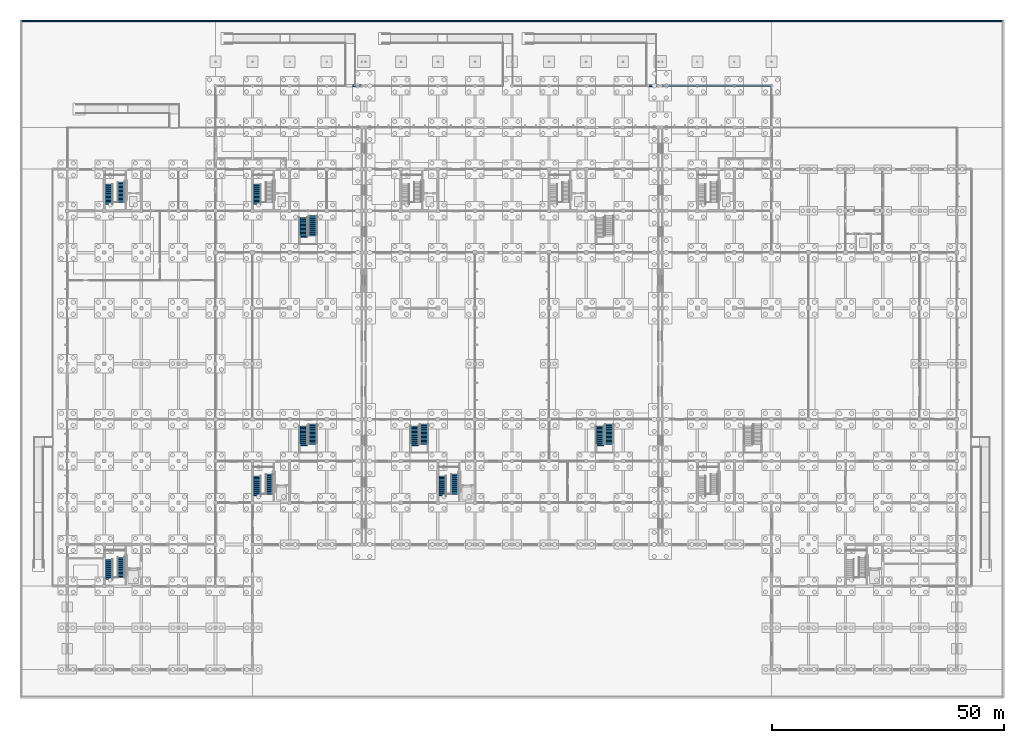
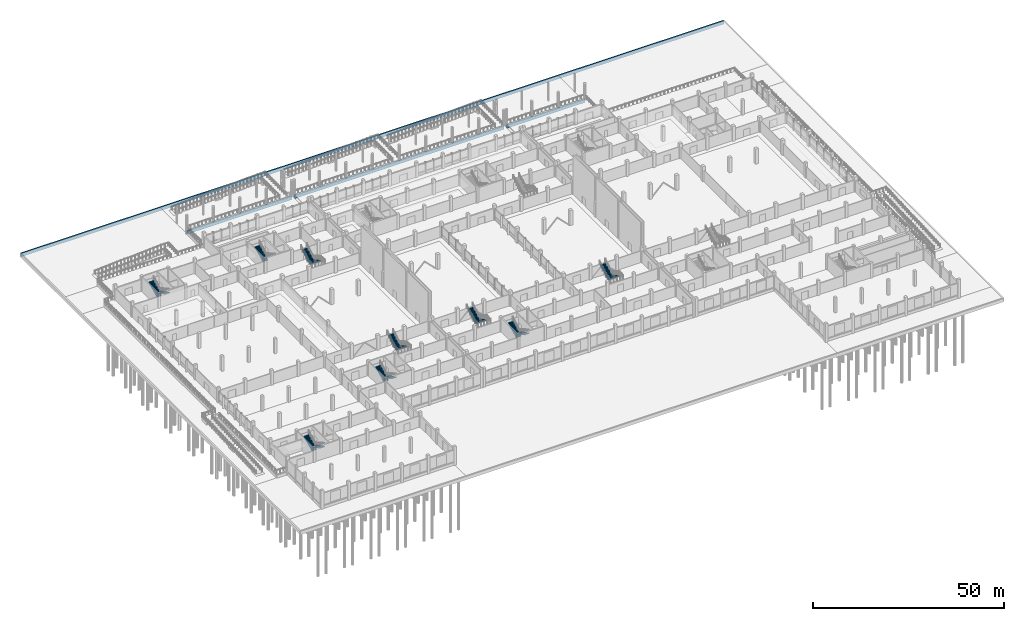
# One storey, part 58 of 72: 17 stair flights, 4 walls, 9 elements without a shape of their own.
"""IFC4 building model written with IfcOpenShell, lengths in metres."""

from ifc_helpers import new_model, si_unit, direction, frame, frame_2d, origin, place, context, subcontext, project, spatial, polyline, rectangle, outline, extrude, material, layer, layer_set, type_object, element, aggregate, save


model = new_model("IFC4")

# Units and contexts
model_context = context("Model", 3, precision=1e-05, world=origin(), true_north=direction((0.0, 1.0)))
body_context = subcontext(model_context, "Body", "Model", "MODEL_VIEW")
ifc_project = project(units=[si_unit("LENGTHUNIT", "METRE"), si_unit("AREAUNIT", "SQUARE_METRE"), si_unit("VOLUMEUNIT", "CUBIC_METRE"), si_unit("PLANEANGLEUNIT", "RADIAN"), si_unit("MASSUNIT", "GRAM", prefix="KILO"), si_unit("THERMODYNAMICTEMPERATUREUNIT", "KELVIN"), si_unit("POWERUNIT", "WATT")], contexts=[model_context])

# Site, building, storey
site_placement = place(None, origin())
site = spatial("IfcSite", under=ifc_project, at=site_placement, CompositionType="ELEMENT")
building_placement = place(site_placement, origin())
building = spatial("IfcBuilding", under=site, at=building_placement, Name="Kronsvod Quay Wholesale Market", CompositionType="ELEMENT")
storey_placement = place(building_placement, origin())
storey = spatial("IfcBuildingStorey", under=building, at=storey_placement, Name="L00", CompositionType="ELEMENT", Elevation=0.0)

# Walls
ifc_material_1 = material(Name="Precast concrete C40/50", Category="concrete")
ifc_layer = layer(ifc_material_1, 0.39990234375)
ifc_layer_set = layer_set([ifc_layer], Name="Precast concrete C40/50")
wall_type = type_object("IfcWallType", Name="Wall_PlinthSkirt400", PredefinedType="STANDARD", material=ifc_layer_set)
wall_1_placement = place(storey_placement, frame((32.0, 126.0, -1.25), z_axis=(0.0, 0.0, 1.0), x_axis=(1.0, 0.0, 0.0)))
element("IfcWall", 1, at=wall_1_placement, inside=storey, type_object=wall_type, Name="RW-N1", PredefinedType="STANDARD", context=body_context, shape_type="SweptSolid", body=[
    extrude(rectangle(XDim=31.60009765625, YDim=0.39990234375, at=frame_2d((15.800048828125, 0.0))), origin(), (0.0, 0.0, 1.0), 0.969970703125),
])
wall_2_placement = place(storey_placement, frame((64.39990234375, 126.0, -1.25), z_axis=(0.0, 0.0, 1.0), x_axis=(1.0, 0.0, 0.0)))
element("IfcWall", 2, at=wall_2_placement, inside=storey, type_object=wall_type, Name="RW-N2", PredefinedType="STANDARD", context=body_context, shape_type="SweptSolid", body=[
    extrude(rectangle(XDim=63.2001953125, YDim=0.39990234375, at=frame_2d((31.60009765625, 0.0))), origin(), (0.0, 0.0, 1.0), 0.969970703125),
])
wall_3_placement = place(storey_placement, frame((128.39990234375, 126.0, -1.25), z_axis=(0.0, 0.0, 1.0), x_axis=(1.0, 0.0, 0.0)))
element("IfcWall", 3, at=wall_3_placement, inside=storey, type_object=wall_type, Name="RW-N3", PredefinedType="STANDARD", context=body_context, shape_type="SweptSolid", body=[
    extrude(rectangle(XDim=23.60009765625, YDim=0.39990234375, at=frame_2d((11.800048828125, 0.0))), origin(), (0.0, 0.0, 1.0), 0.969970703125),
])
wall_4_placement = place(storey_placement, frame((-10.0, 140.0, -2.25), z_axis=(0.0, 0.0, 1.0), x_axis=(1.0, 0.0, 0.0)))
element("IfcWall", 4, at=wall_4_placement, inside=storey, type_object=wall_type, Name="RW-QN", PredefinedType="STANDARD", context=body_context, shape_type="SweptSolid", body=[
    extrude(rectangle(XDim=212.0, YDim=0.39990234375, at=frame_2d((106.0, 0.0))), origin(), (0.0, 0.0, 1.0), 1.050048828125),
])

# Stair, stair flights
ifc_material_2 = material(Name="Concrete C35/45", Category="concrete")
stair_type_1 = type_object("IfcStairType", Name="Stair_CoreL00_32R", PredefinedType="HALF_TURN_STAIR", material=ifc_material_2)
stair_1_placement = place(storey_placement, origin())
stair_1 = element("IfcStair", 5, at=stair_1_placement, inside=storey, type_object=stair_type_1, Name="ST01-L00", PredefinedType="HALF_TURN_STAIR")
ifc_material_3 = material(Name="Concrete C35/45", Category="concrete")
stair_flight_type_1 = type_object("IfcStairFlightType", Name="StairFlight_16R_155", PredefinedType="STRAIGHT", material=ifc_material_3)
stair_flight_1_placement = place(storey_placement, frame((11.6650390625, 24.179931640625, 0.0), z_axis=(0.0, 0.0, 1.0), x_axis=(0.0, -1.0, 0.0)))
stair_flight_1 = element("IfcStairFlight", 6, at=stair_flight_1_placement, type_object=stair_flight_type_1, Name="ST01-L00-F1", NumberOfRisers=16, NumberOfTreads=15, PredefinedType="STRAIGHT", RiserHeight=0.15, TreadLength=0.29, context=body_context, shape_type="SweptSolid", body=[
    extrude(outline(polyline([(0.0, 0.0), (0.0, 0.14990234375), (0.2900390625, 0.14990234375), (0.2900390625, 0.300048828125), (0.580078125, 0.300048828125), (0.580078125, 0.449951171875), (0.8701171875, 0.449951171875), (0.8701171875, 0.60009765625), (1.159912109375, 0.60009765625), (1.159912109375, 0.75), (1.449951171875, 0.75), (1.449951171875, 0.89990234375), (1.739990234375, 0.89990234375), (1.739990234375, 1.050048828125), (2.030029296875, 1.050048828125), (2.030029296875, 1.199951171875), (2.320068359375, 1.199951171875), (2.320068359375, 1.35009765625), (2.610107421875, 1.35009765625), (2.610107421875, 1.5), (2.89990234375, 1.5), (2.89990234375, 1.64990234375), (3.18994140625, 1.64990234375), (3.18994140625, 1.800048828125), (3.47998046875, 1.800048828125), (3.47998046875, 1.949951171875), (3.77001953125, 1.949951171875), (3.77001953125, 2.10009765625), (4.06005859375, 2.10009765625), (4.06005859375, 2.25), (4.35009765625, 2.25), (4.35009765625, 2.39990234375), (4.35009765625, 2.070068359375), (0.34814453125, 0.0), (0.0, 0.0)])), frame((0.0, 0.77490234375, 0.0), z_axis=(0.0, -1.0, 0.0), x_axis=(1.0, 0.0, 0.0)), (0.0, 0.0, 1.0), 1.550048828125),
])
stair_flight_2_placement = place(storey_placement, frame((8.9951171875, 19.409912109375, 2.39990234375), z_axis=(0.0, 0.0, 1.0), x_axis=(0.0, 1.0, 0.0)))
stair_flight_2 = element("IfcStairFlight", 7, at=stair_flight_2_placement, type_object=stair_flight_type_1, Name="ST01-L00-F2", NumberOfRisers=16, NumberOfTreads=15, PredefinedType="STRAIGHT", RiserHeight=0.15, TreadLength=0.29, context=body_context, shape_type="SweptSolid", body=[
    extrude(outline(polyline([(0.0, 0.0), (0.0, 0.14990234375), (0.2900390625, 0.14990234375), (0.2900390625, 0.300048828125), (0.580078125, 0.300048828125), (0.580078125, 0.449951171875), (0.8701171875, 0.449951171875), (0.8701171875, 0.60009765625), (1.159912109375, 0.60009765625), (1.159912109375, 0.75), (1.449951171875, 0.75), (1.449951171875, 0.89990234375), (1.739990234375, 0.89990234375), (1.739990234375, 1.050048828125), (2.030029296875, 1.050048828125), (2.030029296875, 1.199951171875), (2.320068359375, 1.199951171875), (2.320068359375, 1.35009765625), (2.610107421875, 1.35009765625), (2.610107421875, 1.5), (2.89990234375, 1.5), (2.89990234375, 1.64990234375), (3.18994140625, 1.64990234375), (3.18994140625, 1.800048828125), (3.47998046875, 1.800048828125), (3.47998046875, 1.949951171875), (3.77001953125, 1.949951171875), (3.77001953125, 2.10009765625), (4.06005859375, 2.10009765625), (4.06005859375, 2.25), (4.35009765625, 2.25), (4.35009765625, 2.39990234375), (4.35009765625, 2.070068359375), (0.34814453125, 0.0), (0.0, 0.0)])), frame((0.0, 0.77490234375, 0.0), z_axis=(0.0, -1.0, 0.0), x_axis=(1.0, 0.0, 0.0)), (0.0, 0.0, 1.0), 1.550048828125),
])
aggregate(stair_1, [stair_flight_1, stair_flight_2])

stair_2_placement = place(storey_placement, origin())
stair_2 = element("IfcStair", 8, at=stair_2_placement, inside=storey, type_object=stair_type_1, Name="ST02-L00", PredefinedType="HALF_TURN_STAIR")
stair_flight_3_placement = place(storey_placement, frame((11.6650390625, 105.179931640625, 0.0), z_axis=(0.0, 0.0, 1.0), x_axis=(0.0, -1.0, 0.0)))
stair_flight_3 = element("IfcStairFlight", 9, at=stair_flight_3_placement, type_object=stair_flight_type_1, Name="ST02-L00-F1", NumberOfRisers=16, NumberOfTreads=15, PredefinedType="STRAIGHT", RiserHeight=0.15, TreadLength=0.29, context=body_context, shape_type="SweptSolid", body=[
    extrude(outline(polyline([(0.0, 0.0), (0.0, 0.14990234375), (0.2900390625, 0.14990234375), (0.2900390625, 0.300048828125), (0.580078125, 0.300048828125), (0.580078125, 0.449951171875), (0.8701171875, 0.449951171875), (0.8701171875, 0.60009765625), (1.159912109375, 0.60009765625), (1.159912109375, 0.75), (1.449951171875, 0.75), (1.449951171875, 0.89990234375), (1.739990234375, 0.89990234375), (1.739990234375, 1.050048828125), (2.030029296875, 1.050048828125), (2.030029296875, 1.199951171875), (2.320068359375, 1.199951171875), (2.320068359375, 1.35009765625), (2.610107421875, 1.35009765625), (2.610107421875, 1.5), (2.89990234375, 1.5), (2.89990234375, 1.64990234375), (3.18994140625, 1.64990234375), (3.18994140625, 1.800048828125), (3.47998046875, 1.800048828125), (3.47998046875, 1.949951171875), (3.77001953125, 1.949951171875), (3.77001953125, 2.10009765625), (4.06005859375, 2.10009765625), (4.06005859375, 2.25), (4.35009765625, 2.25), (4.35009765625, 2.39990234375), (4.35009765625, 2.070068359375), (0.34814453125, 0.0), (0.0, 0.0)])), frame((0.0, 0.77490234375, 0.0), z_axis=(0.0, -1.0, 0.0), x_axis=(1.0, 0.0, 0.0)), (0.0, 0.0, 1.0), 1.550048828125),
])
stair_flight_4_placement = place(storey_placement, frame((8.9951171875, 100.409912109375, 2.39990234375), z_axis=(0.0, 0.0, 1.0), x_axis=(0.0, 1.0, 0.0)))
stair_flight_4 = element("IfcStairFlight", 10, at=stair_flight_4_placement, type_object=stair_flight_type_1, Name="ST02-L00-F2", NumberOfRisers=16, NumberOfTreads=15, PredefinedType="STRAIGHT", RiserHeight=0.15, TreadLength=0.29, context=body_context, shape_type="SweptSolid", body=[
    extrude(outline(polyline([(0.0, 0.0), (0.0, 0.14990234375), (0.2900390625, 0.14990234375), (0.2900390625, 0.300048828125), (0.580078125, 0.300048828125), (0.580078125, 0.449951171875), (0.8701171875, 0.449951171875), (0.8701171875, 0.60009765625), (1.159912109375, 0.60009765625), (1.159912109375, 0.75), (1.449951171875, 0.75), (1.449951171875, 0.89990234375), (1.739990234375, 0.89990234375), (1.739990234375, 1.050048828125), (2.030029296875, 1.050048828125), (2.030029296875, 1.199951171875), (2.320068359375, 1.199951171875), (2.320068359375, 1.35009765625), (2.610107421875, 1.35009765625), (2.610107421875, 1.5), (2.89990234375, 1.5), (2.89990234375, 1.64990234375), (3.18994140625, 1.64990234375), (3.18994140625, 1.800048828125), (3.47998046875, 1.800048828125), (3.47998046875, 1.949951171875), (3.77001953125, 1.949951171875), (3.77001953125, 2.10009765625), (4.06005859375, 2.10009765625), (4.06005859375, 2.25), (4.35009765625, 2.25), (4.35009765625, 2.39990234375), (4.35009765625, 2.070068359375), (0.34814453125, 0.0), (0.0, 0.0)])), frame((0.0, 0.77490234375, 0.0), z_axis=(0.0, -1.0, 0.0), x_axis=(1.0, 0.0, 0.0)), (0.0, 0.0, 1.0), 1.550048828125),
])
aggregate(stair_2, [stair_flight_3, stair_flight_4])

stair_3_placement = place(storey_placement, origin())
stair_3 = element("IfcStair", 11, at=stair_3_placement, inside=storey, type_object=stair_type_1, Name="ST03-L00", PredefinedType="HALF_TURN_STAIR")
stair_flight_5_placement = place(storey_placement, frame((43.6650390625, 42.179931640625, 0.0), z_axis=(0.0, 0.0, 1.0), x_axis=(0.0, -1.0, 0.0)))
stair_flight_5 = element("IfcStairFlight", 12, at=stair_flight_5_placement, type_object=stair_flight_type_1, Name="ST03-L00-F1", NumberOfRisers=16, NumberOfTreads=15, PredefinedType="STRAIGHT", RiserHeight=0.15, TreadLength=0.29, context=body_context, shape_type="SweptSolid", body=[
    extrude(outline(polyline([(0.0, 0.0), (0.0, 0.14990234375), (0.2900390625, 0.14990234375), (0.2900390625, 0.300048828125), (0.580078125, 0.300048828125), (0.580078125, 0.449951171875), (0.8701171875, 0.449951171875), (0.8701171875, 0.60009765625), (1.159912109375, 0.60009765625), (1.159912109375, 0.75), (1.449951171875, 0.75), (1.449951171875, 0.89990234375), (1.739990234375, 0.89990234375), (1.739990234375, 1.050048828125), (2.030029296875, 1.050048828125), (2.030029296875, 1.199951171875), (2.320068359375, 1.199951171875), (2.320068359375, 1.35009765625), (2.610107421875, 1.35009765625), (2.610107421875, 1.5), (2.89990234375, 1.5), (2.89990234375, 1.64990234375), (3.18994140625, 1.64990234375), (3.18994140625, 1.800048828125), (3.47998046875, 1.800048828125), (3.47998046875, 1.949951171875), (3.77001953125, 1.949951171875), (3.77001953125, 2.10009765625), (4.06005859375, 2.10009765625), (4.06005859375, 2.25), (4.35009765625, 2.25), (4.35009765625, 2.39990234375), (4.35009765625, 2.070068359375), (0.34814453125, 0.0), (0.0, 0.0)])), frame((0.0, 0.77490234375, 0.0), z_axis=(0.0, -1.0, 0.0), x_axis=(1.0, 0.0, 0.0)), (0.0, 0.0, 1.0), 1.550048828125),
])
stair_flight_6_placement = place(storey_placement, frame((40.9951171875, 37.409912109375, 2.39990234375), z_axis=(0.0, 0.0, 1.0), x_axis=(0.0, 1.0, 0.0)))
stair_flight_6 = element("IfcStairFlight", 13, at=stair_flight_6_placement, type_object=stair_flight_type_1, Name="ST03-L00-F2", NumberOfRisers=16, NumberOfTreads=15, PredefinedType="STRAIGHT", RiserHeight=0.15, TreadLength=0.29, context=body_context, shape_type="SweptSolid", body=[
    extrude(outline(polyline([(0.0, 0.0), (0.0, 0.14990234375), (0.2900390625, 0.14990234375), (0.2900390625, 0.300048828125), (0.580078125, 0.300048828125), (0.580078125, 0.449951171875), (0.8701171875, 0.449951171875), (0.8701171875, 0.60009765625), (1.159912109375, 0.60009765625), (1.159912109375, 0.75), (1.449951171875, 0.75), (1.449951171875, 0.89990234375), (1.739990234375, 0.89990234375), (1.739990234375, 1.050048828125), (2.030029296875, 1.050048828125), (2.030029296875, 1.199951171875), (2.320068359375, 1.199951171875), (2.320068359375, 1.35009765625), (2.610107421875, 1.35009765625), (2.610107421875, 1.5), (2.89990234375, 1.5), (2.89990234375, 1.64990234375), (3.18994140625, 1.64990234375), (3.18994140625, 1.800048828125), (3.47998046875, 1.800048828125), (3.47998046875, 1.949951171875), (3.77001953125, 1.949951171875), (3.77001953125, 2.10009765625), (4.06005859375, 2.10009765625), (4.06005859375, 2.25), (4.35009765625, 2.25), (4.35009765625, 2.39990234375), (4.35009765625, 2.070068359375), (0.34814453125, 0.0), (0.0, 0.0)])), frame((0.0, 0.77490234375, 0.0), z_axis=(0.0, -1.0, 0.0), x_axis=(1.0, 0.0, 0.0)), (0.0, 0.0, 1.0), 1.550048828125),
])
aggregate(stair_3, [stair_flight_5, stair_flight_6])

stair_4_placement = place(storey_placement, origin())
stair_4 = element("IfcStair", 14, at=stair_4_placement, inside=storey, type_object=stair_type_1, Name="ST04-L00", PredefinedType="HALF_TURN_STAIR")
stair_flight_7_placement = place(storey_placement, frame((83.6650390625, 42.179931640625, 0.0), z_axis=(0.0, 0.0, 1.0), x_axis=(0.0, -1.0, 0.0)))
stair_flight_7 = element("IfcStairFlight", 15, at=stair_flight_7_placement, type_object=stair_flight_type_1, Name="ST04-L00-F1", NumberOfRisers=16, NumberOfTreads=15, PredefinedType="STRAIGHT", RiserHeight=0.15, TreadLength=0.29, context=body_context, shape_type="SweptSolid", body=[
    extrude(outline(polyline([(0.0, 0.0), (0.0, 0.14990234375), (0.2900390625, 0.14990234375), (0.2900390625, 0.300048828125), (0.580078125, 0.300048828125), (0.580078125, 0.449951171875), (0.8701171875, 0.449951171875), (0.8701171875, 0.60009765625), (1.159912109375, 0.60009765625), (1.159912109375, 0.75), (1.449951171875, 0.75), (1.449951171875, 0.89990234375), (1.739990234375, 0.89990234375), (1.739990234375, 1.050048828125), (2.030029296875, 1.050048828125), (2.030029296875, 1.199951171875), (2.320068359375, 1.199951171875), (2.320068359375, 1.35009765625), (2.610107421875, 1.35009765625), (2.610107421875, 1.5), (2.89990234375, 1.5), (2.89990234375, 1.64990234375), (3.18994140625, 1.64990234375), (3.18994140625, 1.800048828125), (3.47998046875, 1.800048828125), (3.47998046875, 1.949951171875), (3.77001953125, 1.949951171875), (3.77001953125, 2.10009765625), (4.06005859375, 2.10009765625), (4.06005859375, 2.25), (4.35009765625, 2.25), (4.35009765625, 2.39990234375), (4.35009765625, 2.070068359375), (0.34814453125, 0.0), (0.0, 0.0)])), frame((0.0, 0.77490234375, 0.0), z_axis=(0.0, -1.0, 0.0), x_axis=(1.0, 0.0, 0.0)), (0.0, 0.0, 1.0), 1.550048828125),
])
stair_flight_8_placement = place(storey_placement, frame((80.9951171875, 37.409912109375, 2.39990234375), z_axis=(0.0, 0.0, 1.0), x_axis=(0.0, 1.0, 0.0)))
stair_flight_8 = element("IfcStairFlight", 16, at=stair_flight_8_placement, type_object=stair_flight_type_1, Name="ST04-L00-F2", NumberOfRisers=16, NumberOfTreads=15, PredefinedType="STRAIGHT", RiserHeight=0.15, TreadLength=0.29, context=body_context, shape_type="SweptSolid", body=[
    extrude(outline(polyline([(0.0, 0.0), (0.0, 0.14990234375), (0.2900390625, 0.14990234375), (0.2900390625, 0.300048828125), (0.580078125, 0.300048828125), (0.580078125, 0.449951171875), (0.8701171875, 0.449951171875), (0.8701171875, 0.60009765625), (1.159912109375, 0.60009765625), (1.159912109375, 0.75), (1.449951171875, 0.75), (1.449951171875, 0.89990234375), (1.739990234375, 0.89990234375), (1.739990234375, 1.050048828125), (2.030029296875, 1.050048828125), (2.030029296875, 1.199951171875), (2.320068359375, 1.199951171875), (2.320068359375, 1.35009765625), (2.610107421875, 1.35009765625), (2.610107421875, 1.5), (2.89990234375, 1.5), (2.89990234375, 1.64990234375), (3.18994140625, 1.64990234375), (3.18994140625, 1.800048828125), (3.47998046875, 1.800048828125), (3.47998046875, 1.949951171875), (3.77001953125, 1.949951171875), (3.77001953125, 2.10009765625), (4.06005859375, 2.10009765625), (4.06005859375, 2.25), (4.35009765625, 2.25), (4.35009765625, 2.39990234375), (4.35009765625, 2.070068359375), (0.34814453125, 0.0), (0.0, 0.0)])), frame((0.0, 0.77490234375, 0.0), z_axis=(0.0, -1.0, 0.0), x_axis=(1.0, 0.0, 0.0)), (0.0, 0.0, 1.0), 1.550048828125),
])
aggregate(stair_4, [stair_flight_7, stair_flight_8])

# Stair, stair flight
stair_5_placement = place(storey_placement, origin())
stair_5 = element("IfcStair", 17, at=stair_5_placement, inside=storey, type_object=stair_type_1, Name="ST07-L00", PredefinedType="HALF_TURN_STAIR")
stair_flight_9_placement = place(storey_placement, frame((40.9951171875, 100.409912109375, 2.39990234375), z_axis=(0.0, 0.0, 1.0), x_axis=(0.0, 1.0, 0.0)))
stair_flight_9 = element("IfcStairFlight", 18, at=stair_flight_9_placement, type_object=stair_flight_type_1, Name="ST07-L00-F2", NumberOfRisers=16, NumberOfTreads=15, PredefinedType="STRAIGHT", RiserHeight=0.15, TreadLength=0.29, context=body_context, shape_type="SweptSolid", body=[
    extrude(outline(polyline([(0.0, 0.0), (0.0, 0.14990234375), (0.2900390625, 0.14990234375), (0.2900390625, 0.300048828125), (0.580078125, 0.300048828125), (0.580078125, 0.449951171875), (0.8701171875, 0.449951171875), (0.8701171875, 0.60009765625), (1.159912109375, 0.60009765625), (1.159912109375, 0.75), (1.449951171875, 0.75), (1.449951171875, 0.89990234375), (1.739990234375, 0.89990234375), (1.739990234375, 1.050048828125), (2.030029296875, 1.050048828125), (2.030029296875, 1.199951171875), (2.320068359375, 1.199951171875), (2.320068359375, 1.35009765625), (2.610107421875, 1.35009765625), (2.610107421875, 1.5), (2.89990234375, 1.5), (2.89990234375, 1.64990234375), (3.18994140625, 1.64990234375), (3.18994140625, 1.800048828125), (3.47998046875, 1.800048828125), (3.47998046875, 1.949951171875), (3.77001953125, 1.949951171875), (3.77001953125, 2.10009765625), (4.06005859375, 2.10009765625), (4.06005859375, 2.25), (4.35009765625, 2.25), (4.35009765625, 2.39990234375), (4.35009765625, 2.070068359375), (0.34814453125, 0.0), (0.0, 0.0)])), frame((0.0, 0.77490234375, 0.0), z_axis=(0.0, -1.0, 0.0), x_axis=(1.0, 0.0, 0.0)), (0.0, 0.0, 1.0), 1.550048828125),
])
aggregate(stair_5, [stair_flight_9])

# Stair, stair flights
ifc_material_4 = material(Name="Concrete C35/45", Category="concrete")
stair_type_2 = type_object("IfcStairType", Name="Stair_Concourse32R", PredefinedType="HALF_TURN_STAIR", material=ifc_material_4)
stair_6_placement = place(storey_placement, origin())
stair_6 = element("IfcStair", 19, at=stair_6_placement, inside=storey, type_object=stair_type_2, Name="ST-CON-W", PredefinedType="HALF_TURN_STAIR")
ifc_material_5 = material(Name="Concrete C35/45", Category="concrete")
stair_flight_type_2 = type_object("IfcStairFlightType", Name="StairFlight_16R_165", PredefinedType="STRAIGHT", material=ifc_material_5)
stair_flight_10_placement = place(storey_placement, frame((52.955078125, 97.949951171875, 0.0), z_axis=(0.0, 0.0, 1.0), x_axis=(0.0, -1.0, 0.0)))
stair_flight_10 = element("IfcStairFlight", 20, at=stair_flight_10_placement, type_object=stair_flight_type_2, Name="ST-CON-W-F1", NumberOfRisers=16, NumberOfTreads=15, PredefinedType="STRAIGHT", RiserHeight=0.15, TreadLength=0.29, context=body_context, shape_type="SweptSolid", body=[
    extrude(outline(polyline([(0.0, 0.0), (0.0, 0.14990234375), (0.2900390625, 0.14990234375), (0.2900390625, 0.300048828125), (0.580078125, 0.300048828125), (0.580078125, 0.449951171875), (0.8701171875, 0.449951171875), (0.8701171875, 0.60009765625), (1.159912109375, 0.60009765625), (1.159912109375, 0.75), (1.449951171875, 0.75), (1.449951171875, 0.89990234375), (1.739990234375, 0.89990234375), (1.739990234375, 1.050048828125), (2.030029296875, 1.050048828125), (2.030029296875, 1.199951171875), (2.320068359375, 1.199951171875), (2.320068359375, 1.35009765625), (2.610107421875, 1.35009765625), (2.610107421875, 1.5), (2.89990234375, 1.5), (2.89990234375, 1.64990234375), (3.18994140625, 1.64990234375), (3.18994140625, 1.800048828125), (3.47998046875, 1.800048828125), (3.47998046875, 1.949951171875), (3.77001953125, 1.949951171875), (3.77001953125, 2.10009765625), (4.06005859375, 2.10009765625), (4.06005859375, 2.25), (4.35009765625, 2.25), (4.35009765625, 2.39990234375), (4.35009765625, 2.070068359375), (0.34814453125, 0.0), (0.0, 0.0)])), frame((0.0, 0.824951171875, 0.0), z_axis=(0.0, -1.0, 0.0), x_axis=(1.0, 0.0, 0.0)), (0.0, 0.0, 1.0), 1.64990234375),
])
stair_flight_11_placement = place(storey_placement, frame((51.044921875, 93.2099609375, 2.39990234375), z_axis=(0.0, 0.0, 1.0), x_axis=(0.0, 1.0, 0.0)))
stair_flight_11 = element("IfcStairFlight", 21, at=stair_flight_11_placement, type_object=stair_flight_type_2, Name="ST-CON-W-F2", NumberOfRisers=16, NumberOfTreads=15, PredefinedType="STRAIGHT", RiserHeight=0.15, TreadLength=0.29, context=body_context, shape_type="SweptSolid", body=[
    extrude(outline(polyline([(0.0, 0.0), (0.0, 0.14990234375), (0.2900390625, 0.14990234375), (0.2900390625, 0.300048828125), (0.580078125, 0.300048828125), (0.580078125, 0.449951171875), (0.8701171875, 0.449951171875), (0.8701171875, 0.60009765625), (1.159912109375, 0.60009765625), (1.159912109375, 0.75), (1.449951171875, 0.75), (1.449951171875, 0.89990234375), (1.739990234375, 0.89990234375), (1.739990234375, 1.050048828125), (2.030029296875, 1.050048828125), (2.030029296875, 1.199951171875), (2.320068359375, 1.199951171875), (2.320068359375, 1.35009765625), (2.610107421875, 1.35009765625), (2.610107421875, 1.5), (2.89990234375, 1.5), (2.89990234375, 1.64990234375), (3.18994140625, 1.64990234375), (3.18994140625, 1.800048828125), (3.47998046875, 1.800048828125), (3.47998046875, 1.949951171875), (3.77001953125, 1.949951171875), (3.77001953125, 2.10009765625), (4.06005859375, 2.10009765625), (4.06005859375, 2.25), (4.35009765625, 2.25), (4.35009765625, 2.39990234375), (4.35009765625, 2.070068359375), (0.34814453125, 0.0), (0.0, 0.0)])), frame((0.0, 0.824951171875, 0.0), z_axis=(0.0, -1.0, 0.0), x_axis=(1.0, 0.0, 0.0)), (0.0, 0.0, 1.0), 1.64990234375),
])
aggregate(stair_6, [stair_flight_10, stair_flight_11])

stair_7_placement = place(storey_placement, origin())
stair_7 = element("IfcStair", 22, at=stair_7_placement, inside=storey, type_object=stair_type_2, Name="ST-GAL-W1", PredefinedType="HALF_TURN_STAIR")
stair_flight_12_placement = place(storey_placement, frame((52.955078125, 52.949951171875, 0.0), z_axis=(0.0, 0.0, 1.0), x_axis=(0.0, -1.0, 0.0)))
stair_flight_12 = element("IfcStairFlight", 23, at=stair_flight_12_placement, type_object=stair_flight_type_2, Name="ST-GAL-W1-F1", NumberOfRisers=16, NumberOfTreads=15, PredefinedType="STRAIGHT", RiserHeight=0.15, TreadLength=0.29, context=body_context, shape_type="SweptSolid", body=[
    extrude(outline(polyline([(0.0, 0.0), (0.0, 0.14990234375), (0.2900390625, 0.14990234375), (0.2900390625, 0.300048828125), (0.580078125, 0.300048828125), (0.580078125, 0.449951171875), (0.8701171875, 0.449951171875), (0.8701171875, 0.60009765625), (1.159912109375, 0.60009765625), (1.159912109375, 0.75), (1.449951171875, 0.75), (1.449951171875, 0.89990234375), (1.739990234375, 0.89990234375), (1.739990234375, 1.050048828125), (2.030029296875, 1.050048828125), (2.030029296875, 1.199951171875), (2.320068359375, 1.199951171875), (2.320068359375, 1.35009765625), (2.610107421875, 1.35009765625), (2.610107421875, 1.5), (2.89990234375, 1.5), (2.89990234375, 1.64990234375), (3.18994140625, 1.64990234375), (3.18994140625, 1.800048828125), (3.47998046875, 1.800048828125), (3.47998046875, 1.949951171875), (3.77001953125, 1.949951171875), (3.77001953125, 2.10009765625), (4.06005859375, 2.10009765625), (4.06005859375, 2.25), (4.35009765625, 2.25), (4.35009765625, 2.39990234375), (4.35009765625, 2.070068359375), (0.34814453125, 0.0), (0.0, 0.0)])), frame((0.0, 0.824951171875, 0.0), z_axis=(0.0, -1.0, 0.0), x_axis=(1.0, 0.0, 0.0)), (0.0, 0.0, 1.0), 1.64990234375),
])
stair_flight_13_placement = place(storey_placement, frame((51.044921875, 48.2099609375, 2.39990234375), z_axis=(0.0, 0.0, 1.0), x_axis=(0.0, 1.0, 0.0)))
stair_flight_13 = element("IfcStairFlight", 24, at=stair_flight_13_placement, type_object=stair_flight_type_2, Name="ST-GAL-W1-F2", NumberOfRisers=16, NumberOfTreads=15, PredefinedType="STRAIGHT", RiserHeight=0.15, TreadLength=0.29, context=body_context, shape_type="SweptSolid", body=[
    extrude(outline(polyline([(0.0, 0.0), (0.0, 0.14990234375), (0.2900390625, 0.14990234375), (0.2900390625, 0.300048828125), (0.580078125, 0.300048828125), (0.580078125, 0.449951171875), (0.8701171875, 0.449951171875), (0.8701171875, 0.60009765625), (1.159912109375, 0.60009765625), (1.159912109375, 0.75), (1.449951171875, 0.75), (1.449951171875, 0.89990234375), (1.739990234375, 0.89990234375), (1.739990234375, 1.050048828125), (2.030029296875, 1.050048828125), (2.030029296875, 1.199951171875), (2.320068359375, 1.199951171875), (2.320068359375, 1.35009765625), (2.610107421875, 1.35009765625), (2.610107421875, 1.5), (2.89990234375, 1.5), (2.89990234375, 1.64990234375), (3.18994140625, 1.64990234375), (3.18994140625, 1.800048828125), (3.47998046875, 1.800048828125), (3.47998046875, 1.949951171875), (3.77001953125, 1.949951171875), (3.77001953125, 2.10009765625), (4.06005859375, 2.10009765625), (4.06005859375, 2.25), (4.35009765625, 2.25), (4.35009765625, 2.39990234375), (4.35009765625, 2.070068359375), (0.34814453125, 0.0), (0.0, 0.0)])), frame((0.0, 0.824951171875, 0.0), z_axis=(0.0, -1.0, 0.0), x_axis=(1.0, 0.0, 0.0)), (0.0, 0.0, 1.0), 1.64990234375),
])
aggregate(stair_7, [stair_flight_12, stair_flight_13])

stair_8_placement = place(storey_placement, origin())
stair_8 = element("IfcStair", 25, at=stair_8_placement, inside=storey, type_object=stair_type_2, Name="ST-GAL-W2", PredefinedType="HALF_TURN_STAIR")
stair_flight_14_placement = place(storey_placement, frame((76.955078125, 52.949951171875, 0.0), z_axis=(0.0, 0.0, 1.0), x_axis=(0.0, -1.0, 0.0)))
stair_flight_14 = element("IfcStairFlight", 26, at=stair_flight_14_placement, type_object=stair_flight_type_2, Name="ST-GAL-W2-F1", NumberOfRisers=16, NumberOfTreads=15, PredefinedType="STRAIGHT", RiserHeight=0.15, TreadLength=0.29, context=body_context, shape_type="SweptSolid", body=[
    extrude(outline(polyline([(0.0, 0.0), (0.0, 0.14990234375), (0.2900390625, 0.14990234375), (0.2900390625, 0.300048828125), (0.580078125, 0.300048828125), (0.580078125, 0.449951171875), (0.8701171875, 0.449951171875), (0.8701171875, 0.60009765625), (1.159912109375, 0.60009765625), (1.159912109375, 0.75), (1.449951171875, 0.75), (1.449951171875, 0.89990234375), (1.739990234375, 0.89990234375), (1.739990234375, 1.050048828125), (2.030029296875, 1.050048828125), (2.030029296875, 1.199951171875), (2.320068359375, 1.199951171875), (2.320068359375, 1.35009765625), (2.610107421875, 1.35009765625), (2.610107421875, 1.5), (2.89990234375, 1.5), (2.89990234375, 1.64990234375), (3.18994140625, 1.64990234375), (3.18994140625, 1.800048828125), (3.47998046875, 1.800048828125), (3.47998046875, 1.949951171875), (3.77001953125, 1.949951171875), (3.77001953125, 2.10009765625), (4.06005859375, 2.10009765625), (4.06005859375, 2.25), (4.35009765625, 2.25), (4.35009765625, 2.39990234375), (4.35009765625, 2.070068359375), (0.34814453125, 0.0), (0.0, 0.0)])), frame((0.0, 0.824951171875, 0.0), z_axis=(0.0, -1.0, 0.0), x_axis=(1.0, 0.0, 0.0)), (0.0, 0.0, 1.0), 1.64990234375),
])
stair_flight_15_placement = place(storey_placement, frame((75.044921875, 48.2099609375, 2.39990234375), z_axis=(0.0, 0.0, 1.0), x_axis=(0.0, 1.0, 0.0)))
stair_flight_15 = element("IfcStairFlight", 27, at=stair_flight_15_placement, type_object=stair_flight_type_2, Name="ST-GAL-W2-F2", NumberOfRisers=16, NumberOfTreads=15, PredefinedType="STRAIGHT", RiserHeight=0.15, TreadLength=0.29, context=body_context, shape_type="SweptSolid", body=[
    extrude(outline(polyline([(0.0, 0.0), (0.0, 0.14990234375), (0.2900390625, 0.14990234375), (0.2900390625, 0.300048828125), (0.580078125, 0.300048828125), (0.580078125, 0.449951171875), (0.8701171875, 0.449951171875), (0.8701171875, 0.60009765625), (1.159912109375, 0.60009765625), (1.159912109375, 0.75), (1.449951171875, 0.75), (1.449951171875, 0.89990234375), (1.739990234375, 0.89990234375), (1.739990234375, 1.050048828125), (2.030029296875, 1.050048828125), (2.030029296875, 1.199951171875), (2.320068359375, 1.199951171875), (2.320068359375, 1.35009765625), (2.610107421875, 1.35009765625), (2.610107421875, 1.5), (2.89990234375, 1.5), (2.89990234375, 1.64990234375), (3.18994140625, 1.64990234375), (3.18994140625, 1.800048828125), (3.47998046875, 1.800048828125), (3.47998046875, 1.949951171875), (3.77001953125, 1.949951171875), (3.77001953125, 2.10009765625), (4.06005859375, 2.10009765625), (4.06005859375, 2.25), (4.35009765625, 2.25), (4.35009765625, 2.39990234375), (4.35009765625, 2.070068359375), (0.34814453125, 0.0), (0.0, 0.0)])), frame((0.0, 0.824951171875, 0.0), z_axis=(0.0, -1.0, 0.0), x_axis=(1.0, 0.0, 0.0)), (0.0, 0.0, 1.0), 1.64990234375),
])
aggregate(stair_8, [stair_flight_14, stair_flight_15])

stair_9_placement = place(storey_placement, origin())
stair_9 = element("IfcStair", 28, at=stair_9_placement, inside=storey, type_object=stair_type_2, Name="ST-GAL-E1", PredefinedType="HALF_TURN_STAIR")
stair_flight_16_placement = place(storey_placement, frame((116.955078125, 52.949951171875, 0.0), z_axis=(0.0, 0.0, 1.0), x_axis=(0.0, -1.0, 0.0)))
stair_flight_16 = element("IfcStairFlight", 29, at=stair_flight_16_placement, type_object=stair_flight_type_2, Name="ST-GAL-E1-F1", NumberOfRisers=16, NumberOfTreads=15, PredefinedType="STRAIGHT", RiserHeight=0.15, TreadLength=0.29, context=body_context, shape_type="SweptSolid", body=[
    extrude(outline(polyline([(0.0, 0.0), (0.0, 0.14990234375), (0.2900390625, 0.14990234375), (0.2900390625, 0.300048828125), (0.580078125, 0.300048828125), (0.580078125, 0.449951171875), (0.8701171875, 0.449951171875), (0.8701171875, 0.60009765625), (1.159912109375, 0.60009765625), (1.159912109375, 0.75), (1.449951171875, 0.75), (1.449951171875, 0.89990234375), (1.739990234375, 0.89990234375), (1.739990234375, 1.050048828125), (2.030029296875, 1.050048828125), (2.030029296875, 1.199951171875), (2.320068359375, 1.199951171875), (2.320068359375, 1.35009765625), (2.610107421875, 1.35009765625), (2.610107421875, 1.5), (2.89990234375, 1.5), (2.89990234375, 1.64990234375), (3.18994140625, 1.64990234375), (3.18994140625, 1.800048828125), (3.47998046875, 1.800048828125), (3.47998046875, 1.949951171875), (3.77001953125, 1.949951171875), (3.77001953125, 2.10009765625), (4.06005859375, 2.10009765625), (4.06005859375, 2.25), (4.35009765625, 2.25), (4.35009765625, 2.39990234375), (4.35009765625, 2.070068359375), (0.34814453125, 0.0), (0.0, 0.0)])), frame((0.0, 0.824951171875, 0.0), z_axis=(0.0, -1.0, 0.0), x_axis=(1.0, 0.0, 0.0)), (0.0, 0.0, 1.0), 1.64990234375),
])
stair_flight_17_placement = place(storey_placement, frame((115.044921875, 48.2099609375, 2.39990234375), z_axis=(0.0, 0.0, 1.0), x_axis=(0.0, 1.0, 0.0)))
stair_flight_17 = element("IfcStairFlight", 30, at=stair_flight_17_placement, type_object=stair_flight_type_2, Name="ST-GAL-E1-F2", NumberOfRisers=16, NumberOfTreads=15, PredefinedType="STRAIGHT", RiserHeight=0.15, TreadLength=0.29, context=body_context, shape_type="SweptSolid", body=[
    extrude(outline(polyline([(0.0, 0.0), (0.0, 0.14990234375), (0.2900390625, 0.14990234375), (0.2900390625, 0.300048828125), (0.580078125, 0.300048828125), (0.580078125, 0.449951171875), (0.8701171875, 0.449951171875), (0.8701171875, 0.60009765625), (1.159912109375, 0.60009765625), (1.159912109375, 0.75), (1.449951171875, 0.75), (1.449951171875, 0.89990234375), (1.739990234375, 0.89990234375), (1.739990234375, 1.050048828125), (2.030029296875, 1.050048828125), (2.030029296875, 1.199951171875), (2.320068359375, 1.199951171875), (2.320068359375, 1.35009765625), (2.610107421875, 1.35009765625), (2.610107421875, 1.5), (2.89990234375, 1.5), (2.89990234375, 1.64990234375), (3.18994140625, 1.64990234375), (3.18994140625, 1.800048828125), (3.47998046875, 1.800048828125), (3.47998046875, 1.949951171875), (3.77001953125, 1.949951171875), (3.77001953125, 2.10009765625), (4.06005859375, 2.10009765625), (4.06005859375, 2.25), (4.35009765625, 2.25), (4.35009765625, 2.39990234375), (4.35009765625, 2.070068359375), (0.34814453125, 0.0), (0.0, 0.0)])), frame((0.0, 0.824951171875, 0.0), z_axis=(0.0, -1.0, 0.0), x_axis=(1.0, 0.0, 0.0)), (0.0, 0.0, 1.0), 1.64990234375),
])
aggregate(stair_9, [stair_flight_16, stair_flight_17])

save(model, "model.ifc")
